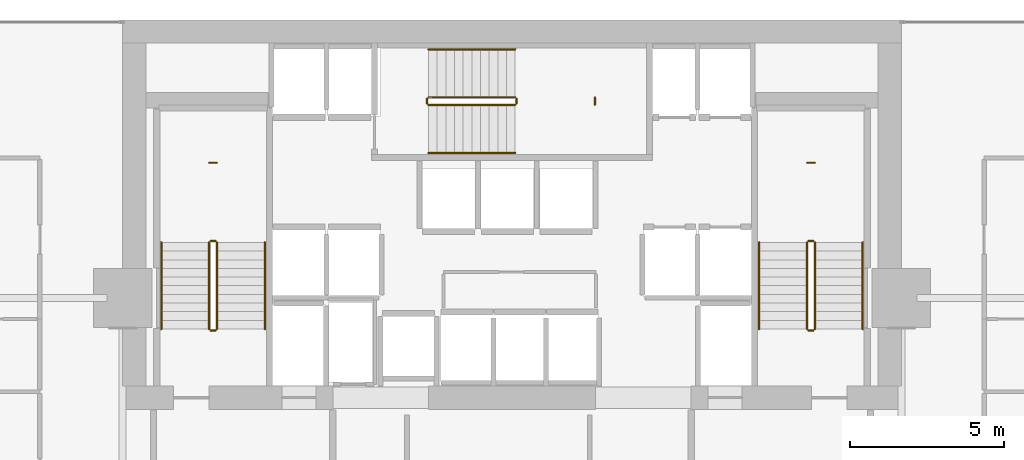
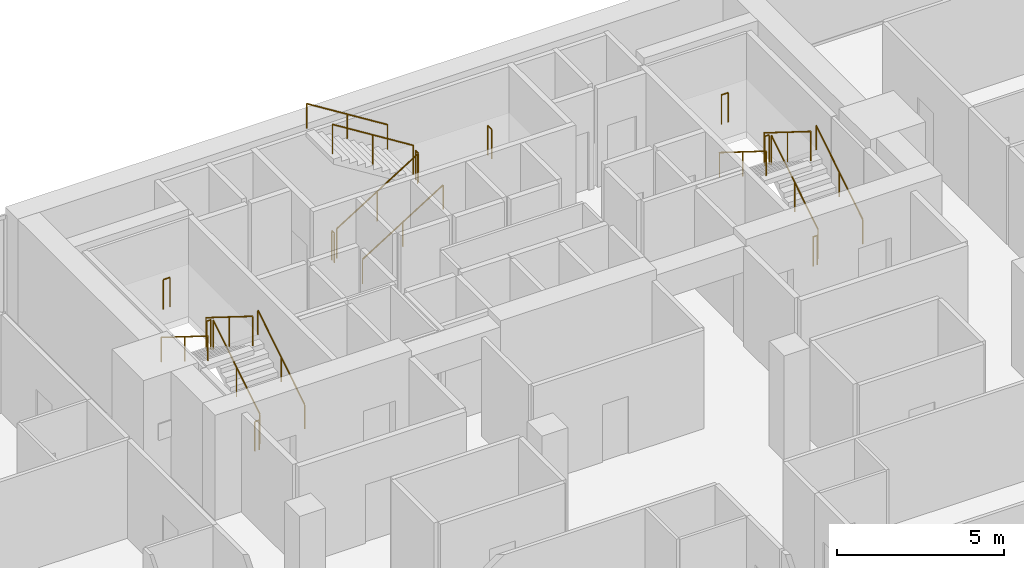
# One storey, part 34 of 34: 21 railings.
"""IFC4 building model written with IfcOpenShell, lengths in metres."""

from ifc_helpers import new_model, si_unit, direction, frame, origin, origin_2d, place, context, subcontext, project, spatial, circle, extrude, material, type_object, element, save


model = new_model("IFC4")

# Units and contexts
model_context = context("Model", 3, precision=1e-05, world=origin(), true_north=direction((0.0, 1.0)))
body_context = subcontext(model_context, "Body", "Model", "MODEL_VIEW")
ifc_project = project(units=[si_unit("LENGTHUNIT", "METRE"), si_unit("AREAUNIT", "SQUARE_METRE"), si_unit("VOLUMEUNIT", "CUBIC_METRE"), si_unit("PLANEANGLEUNIT", "RADIAN"), si_unit("MASSUNIT", "GRAM", prefix="KILO")], contexts=[model_context])

# Site, building, storey
site_placement = place(None, origin())
site = spatial("IfcSite", under=ifc_project, at=site_placement, CompositionType="ELEMENT")
building_placement = place(site_placement, origin())
building = spatial("IfcBuilding", under=site, at=building_placement, Name="Maruvema Waterfront Hotel and Observation Tower", CompositionType="ELEMENT")
storey_placement = place(building_placement, frame((0.0, 0.0, 127.39990234375)))
storey = spatial("IfcBuildingStorey", under=building, at=storey_placement, Name="L30", CompositionType="ELEMENT", Elevation=127.39990234375)

# Railings
ifc_material_1 = material(Name="Brushed stainless steel Grade 316", Category="steel")
railing_type_1 = type_object("IfcRailingType", Name="Ramp Continuous Wall Handrail 920 mm", PredefinedType="HANDRAIL", material=ifc_material_1)
railing_1_placement = place(storey_placement, frame((29.800048828125, 44.0, 0.175048828125)))
element("IfcRailing", 1, at=railing_1_placement, inside=storey, type_object=railing_type_1, Name="L30 ST-01 stair handrail 1", PredefinedType="HANDRAIL", context=body_context, shape_type="SweptSolid", body=[
    extrude(circle(Radius=0.02392578125, at=origin_2d()), frame((0.0, 0.0, 0.89599609375), z_axis=(0.0, 0.848002457836, 0.529992293815), x_axis=(-1.0, 0.0, 0.0)), (0.0, 0.0, 1.0), 3.302001953125),
    extrude(circle(Radius=0.02099609375, at=origin_2d()), origin(), (0.0, 0.0, 1.0), 0.871826171875),
    extrude(circle(Radius=0.02099609375, at=origin_2d()), frame((0.0, 1.39990234375, 0.875)), (0.0, 0.0, 1.0), 0.871826171875),
    extrude(circle(Radius=0.02099609375, at=origin_2d()), frame((0.0, 2.800048828125, 1.75)), (0.0, 0.0, 1.0), 0.871826171875),
])
railing_2_placement = place(storey_placement, frame((26.449951171875, 46.800048828125, 2.10009765625)))
element("IfcRailing", 2, at=railing_2_placement, inside=storey, type_object=railing_type_1, Name="L30 ST-01 stair handrail 2", PredefinedType="HANDRAIL", context=body_context, shape_type="SweptSolid", body=[
    extrude(circle(Radius=0.02392578125, at=origin_2d()), frame((0.0, 0.0, 0.89599609375), z_axis=(0.0, -0.848002457836, 0.529992293815), x_axis=(1.0, 0.0, 0.0)), (0.0, 0.0, 1.0), 3.302001953125),
    extrude(circle(Radius=0.02099609375, at=origin_2d()), origin(), (0.0, 0.0, 1.0), 0.871826171875),
    extrude(circle(Radius=0.02099609375, at=origin_2d()), frame((0.0, -1.39990234375, 0.875)), (0.0, 0.0, 1.0), 0.871826171875),
    extrude(circle(Radius=0.02099609375, at=origin_2d()), frame((0.0, -2.800048828125, 1.75)), (0.0, 0.0, 1.0), 0.871826171875),
])
railing_3_placement = place(storey_placement, frame((35.10009765625, 49.699951171875, 0.175048828125)))
element("IfcRailing", 3, at=railing_3_placement, inside=storey, type_object=railing_type_1, Name="L30 ST-02 stair handrail 1", PredefinedType="HANDRAIL", context=body_context, shape_type="SweptSolid", body=[
    extrude(circle(Radius=0.02392578125, at=origin_2d()), frame((0.0, 0.0, 0.89599609375), z_axis=(0.847981687118, 0.0, 0.530025526095), x_axis=(0.0, 1.0, 0.0)), (0.0, 0.0, 1.0), 3.3017578125),
    extrude(circle(Radius=0.02099609375, at=origin_2d()), origin(), (0.0, 0.0, 1.0), 0.871826171875),
    extrude(circle(Radius=0.02099609375, at=origin_2d()), frame((1.39990234375, 0.0, 0.875)), (0.0, 0.0, 1.0), 0.871826171875),
    extrude(circle(Radius=0.02099609375, at=origin_2d()), frame((2.7998046875, 0.0, 1.75)), (0.0, 0.0, 1.0), 0.871826171875),
])
railing_4_placement = place(storey_placement, frame((37.89990234375, 53.050048828125, 2.10009765625)))
element("IfcRailing", 4, at=railing_4_placement, inside=storey, type_object=railing_type_1, Name="L30 ST-02 stair handrail 2", PredefinedType="HANDRAIL", context=body_context, shape_type="SweptSolid", body=[
    extrude(circle(Radius=0.02392578125, at=origin_2d()), frame((0.0, 0.0, 0.89599609375), z_axis=(-0.847981687118, 0.0, 0.530025526095), x_axis=(0.0, -1.0, 0.0)), (0.0, 0.0, 1.0), 3.3017578125),
    extrude(circle(Radius=0.02099609375, at=origin_2d()), origin(), (0.0, 0.0, 1.0), 0.871826171875),
    extrude(circle(Radius=0.02099609375, at=origin_2d()), frame((-1.39990234375, 0.0, 0.875)), (0.0, 0.0, 1.0), 0.871826171875),
    extrude(circle(Radius=0.02099609375, at=origin_2d()), frame((-2.7998046875, 0.0, 1.75)), (0.0, 0.0, 1.0), 0.871826171875),
])
railing_5_placement = place(storey_placement, frame((49.14990234375, 44.0, 0.175048828125)))
element("IfcRailing", 5, at=railing_5_placement, inside=storey, type_object=railing_type_1, Name="L30 ST-03 stair handrail 1", PredefinedType="HANDRAIL", context=body_context, shape_type="SweptSolid", body=[
    extrude(circle(Radius=0.02392578125, at=origin_2d()), frame((0.0, 0.0, 0.89599609375), z_axis=(0.0, 0.848002457836, 0.529992293815), x_axis=(-1.0, 0.0, 0.0)), (0.0, 0.0, 1.0), 3.302001953125),
    extrude(circle(Radius=0.02099609375, at=origin_2d()), origin(), (0.0, 0.0, 1.0), 0.871826171875),
    extrude(circle(Radius=0.02099609375, at=origin_2d()), frame((0.0, 1.39990234375, 0.875)), (0.0, 0.0, 1.0), 0.871826171875),
    extrude(circle(Radius=0.02099609375, at=origin_2d()), frame((0.0, 2.800048828125, 1.75)), (0.0, 0.0, 1.0), 0.871826171875),
])
railing_6_placement = place(storey_placement, frame((45.800048828125, 46.800048828125, 2.10009765625)))
element("IfcRailing", 6, at=railing_6_placement, inside=storey, type_object=railing_type_1, Name="L30 ST-03 stair handrail 2", PredefinedType="HANDRAIL", context=body_context, shape_type="SweptSolid", body=[
    extrude(circle(Radius=0.02392578125, at=origin_2d()), frame((0.0, 0.0, 0.89599609375), z_axis=(0.0, -0.848002457836, 0.529992293815), x_axis=(1.0, 0.0, 0.0)), (0.0, 0.0, 1.0), 3.302001953125),
    extrude(circle(Radius=0.02099609375, at=origin_2d()), origin(), (0.0, 0.0, 1.0), 0.871826171875),
    extrude(circle(Radius=0.02099609375, at=origin_2d()), frame((0.0, -1.39990234375, 0.875)), (0.0, 0.0, 1.0), 0.871826171875),
    extrude(circle(Radius=0.02099609375, at=origin_2d()), frame((0.0, -2.800048828125, 1.75)), (0.0, 0.0, 1.0), 0.871826171875),
])
ifc_material_2 = material(Name="Brushed stainless steel Grade 316", Category="steel")
railing_type_2 = type_object("IfcRailingType", Name="Ramp and Terrace Guard Balustrade 1100 mm", PredefinedType="BALUSTRADE", material=ifc_material_2)
railing_7_placement = place(storey_placement, frame((28.25, 44.0, 0.175048828125)))
element("IfcRailing", 7, at=railing_7_placement, inside=storey, type_object=railing_type_2, Name="L30 ST-01 stair guard 1", PredefinedType="BALUSTRADE", context=body_context, shape_type="SweptSolid", body=[
    extrude(circle(Radius=0.02392578125, at=origin_2d()), frame((0.0, 0.0, 1.076171875), z_axis=(0.0, 0.848002457836, 0.529992293815), x_axis=(-1.0, 0.0, 0.0)), (0.0, 0.0, 1.0), 3.302001953125),
    extrude(circle(Radius=0.02099609375, at=origin_2d()), origin(), (0.0, 0.0, 1.0), 1.052001953125),
    extrude(circle(Radius=0.02099609375, at=origin_2d()), frame((0.0, 1.39990234375, 0.875)), (0.0, 0.0, 1.0), 1.052001953125),
    extrude(circle(Radius=0.02099609375, at=origin_2d()), frame((0.0, 2.800048828125, 1.75)), (0.0, 0.0, 1.0), 1.052001953125),
])
railing_8_placement = place(storey_placement, frame((28.199951171875, 46.85009765625, 1.925048828125)))
element("IfcRailing", 8, at=railing_8_placement, inside=storey, type_object=railing_type_2, Name="L30 ST-01 stair guard 2", PredefinedType="BALUSTRADE", context=body_context, shape_type="SweptSolid", body=[
    extrude(circle(Radius=0.02392578125, at=origin_2d()), frame((0.0, 0.0, 1.076171875), z_axis=(-1.0, 0.0, 0.0), x_axis=(0.0, -1.0, 0.0)), (0.0, 0.0, 1.0), 0.14990234375),
    extrude(circle(Radius=0.02099609375, at=origin_2d()), origin(), (0.0, 0.0, 1.0), 1.052001953125),
    extrude(circle(Radius=0.02099609375, at=origin_2d()), frame((-0.14990234375, 0.0, 0.0)), (0.0, 0.0, 1.0), 1.052001953125),
])
railing_9_placement = place(storey_placement, frame((28.0, 46.800048828125, 2.10009765625)))
element("IfcRailing", 9, at=railing_9_placement, inside=storey, type_object=railing_type_2, Name="L30 ST-01 stair guard 3", PredefinedType="BALUSTRADE", context=body_context, shape_type="SweptSolid", body=[
    extrude(circle(Radius=0.02392578125, at=origin_2d()), frame((0.0, 0.0, 1.076171875), z_axis=(0.0, -0.848002457836, 0.529992293815), x_axis=(1.0, 0.0, 0.0)), (0.0, 0.0, 1.0), 3.302001953125),
    extrude(circle(Radius=0.02099609375, at=origin_2d()), origin(), (0.0, 0.0, 1.0), 1.052001953125),
    extrude(circle(Radius=0.02099609375, at=origin_2d()), frame((0.0, -1.39990234375, 0.875)), (0.0, 0.0, 1.0), 1.052001953125),
    extrude(circle(Radius=0.02099609375, at=origin_2d()), frame((0.0, -2.800048828125, 1.75)), (0.0, 0.0, 1.0), 1.052001953125),
])
railing_10_placement = place(storey_placement, frame((28.199951171875, 43.949951171875, 0.0)))
element("IfcRailing", 10, at=railing_10_placement, inside=storey, type_object=railing_type_2, Name="L30 ST-01 stair guard 4", PredefinedType="BALUSTRADE", context=body_context, shape_type="SweptSolid", body=[
    extrude(circle(Radius=0.02392578125, at=origin_2d()), frame((0.0, 0.0, 1.076171875), z_axis=(-1.0, 0.0, 0.0), x_axis=(0.0, -1.0, 0.0)), (0.0, 0.0, 1.0), 0.14990234375),
    extrude(circle(Radius=0.02099609375, at=origin_2d()), origin(), (0.0, 0.0, 1.0), 1.052001953125),
    extrude(circle(Radius=0.02099609375, at=origin_2d()), frame((-0.14990234375, 0.0, 0.0)), (0.0, 0.0, 1.0), 1.052001953125),
])
railing_11_placement = place(storey_placement, frame((28.239990234375, 49.3798828125, 1.925048828125)))
element("IfcRailing", 11, at=railing_11_placement, inside=storey, type_object=railing_type_2, Name="L30 ST-01 Half-Landing Slot Guard", PredefinedType="BALUSTRADE", context=body_context, shape_type="SweptSolid", body=[
    extrude(circle(Radius=0.02392578125, at=origin_2d()), frame((0.0, 0.0, 1.076171875), z_axis=(-1.0, 0.0, 0.0), x_axis=(0.0, -1.0, 0.0)), (0.0, 0.0, 1.0), 0.22998046875),
    extrude(circle(Radius=0.02099609375, at=origin_2d()), origin(), (0.0, 0.0, 1.0), 1.052001953125),
    extrude(circle(Radius=0.02099609375, at=origin_2d()), frame((-0.22998046875, 0.0, 0.0)), (0.0, 0.0, 1.0), 1.052001953125),
])
railing_12_placement = place(storey_placement, frame((35.10009765625, 51.25, 0.175048828125)))
element("IfcRailing", 12, at=railing_12_placement, inside=storey, type_object=railing_type_2, Name="L30 ST-02 stair guard 1", PredefinedType="BALUSTRADE", context=body_context, shape_type="SweptSolid", body=[
    extrude(circle(Radius=0.02392578125, at=origin_2d()), frame((0.0, 0.0, 1.076171875), z_axis=(0.847981687118, 0.0, 0.530025526095), x_axis=(0.0, 1.0, 0.0)), (0.0, 0.0, 1.0), 3.3017578125),
    extrude(circle(Radius=0.02099609375, at=origin_2d()), origin(), (0.0, 0.0, 1.0), 1.052001953125),
    extrude(circle(Radius=0.02099609375, at=origin_2d()), frame((1.39990234375, 0.0, 0.875)), (0.0, 0.0, 1.0), 1.052001953125),
    extrude(circle(Radius=0.02099609375, at=origin_2d()), frame((2.7998046875, 0.0, 1.75)), (0.0, 0.0, 1.0), 1.052001953125),
])
railing_13_placement = place(storey_placement, frame((37.949951171875, 51.300048828125, 1.925048828125)))
element("IfcRailing", 13, at=railing_13_placement, inside=storey, type_object=railing_type_2, Name="L30 ST-02 stair guard 2", PredefinedType="BALUSTRADE", context=body_context, shape_type="SweptSolid", body=[
    extrude(circle(Radius=0.02392578125, at=origin_2d()), frame((0.0, 0.0, 1.076171875), z_axis=(0.0, 1.0, 0.0), x_axis=(-1.0, 0.0, 0.0)), (0.0, 0.0, 1.0), 0.14990234375),
    extrude(circle(Radius=0.02099609375, at=origin_2d()), origin(), (0.0, 0.0, 1.0), 1.052001953125),
    extrude(circle(Radius=0.02099609375, at=origin_2d()), frame((0.0, 0.14990234375, 0.0)), (0.0, 0.0, 1.0), 1.052001953125),
])
railing_14_placement = place(storey_placement, frame((37.89990234375, 51.5, 2.10009765625)))
element("IfcRailing", 14, at=railing_14_placement, inside=storey, type_object=railing_type_2, Name="L30 ST-02 stair guard 3", PredefinedType="BALUSTRADE", context=body_context, shape_type="SweptSolid", body=[
    extrude(circle(Radius=0.02392578125, at=origin_2d()), frame((0.0, 0.0, 1.076171875), z_axis=(-0.847981687118, 0.0, 0.530025526095), x_axis=(0.0, -1.0, 0.0)), (0.0, 0.0, 1.0), 3.3017578125),
    extrude(circle(Radius=0.02099609375, at=origin_2d()), origin(), (0.0, 0.0, 1.0), 1.052001953125),
    extrude(circle(Radius=0.02099609375, at=origin_2d()), frame((-1.39990234375, 0.0, 0.875)), (0.0, 0.0, 1.0), 1.052001953125),
    extrude(circle(Radius=0.02099609375, at=origin_2d()), frame((-2.7998046875, 0.0, 1.75)), (0.0, 0.0, 1.0), 1.052001953125),
])
railing_15_placement = place(storey_placement, frame((35.050048828125, 51.300048828125, 0.0)))
element("IfcRailing", 15, at=railing_15_placement, inside=storey, type_object=railing_type_2, Name="L30 ST-02 stair guard 4", PredefinedType="BALUSTRADE", context=body_context, shape_type="SweptSolid", body=[
    extrude(circle(Radius=0.02392578125, at=origin_2d()), frame((0.0, 0.0, 1.076171875), z_axis=(0.0, 1.0, 0.0), x_axis=(-1.0, 0.0, 0.0)), (0.0, 0.0, 1.0), 0.14990234375),
    extrude(circle(Radius=0.02099609375, at=origin_2d()), origin(), (0.0, 0.0, 1.0), 1.052001953125),
    extrude(circle(Radius=0.02099609375, at=origin_2d()), frame((0.0, 0.14990234375, 0.0)), (0.0, 0.0, 1.0), 1.052001953125),
])
railing_16_placement = place(storey_placement, frame((40.47998046875, 51.260009765625, 1.925048828125)))
element("IfcRailing", 16, at=railing_16_placement, inside=storey, type_object=railing_type_2, Name="L30 ST-02 Half-Landing Slot Guard", PredefinedType="BALUSTRADE", context=body_context, shape_type="SweptSolid", body=[
    extrude(circle(Radius=0.02392578125, at=origin_2d()), frame((0.0, 0.0, 1.076171875), z_axis=(0.0, 1.0, 0.0), x_axis=(-1.0, 0.0, 0.0)), (0.0, 0.0, 1.0), 0.22998046875),
    extrude(circle(Radius=0.02099609375, at=origin_2d()), origin(), (0.0, 0.0, 1.0), 1.052001953125),
    extrude(circle(Radius=0.02099609375, at=origin_2d()), frame((0.0, 0.22998046875, 0.0)), (0.0, 0.0, 1.0), 1.052001953125),
])
railing_17_placement = place(storey_placement, frame((47.60009765625, 44.0, 0.175048828125)))
element("IfcRailing", 17, at=railing_17_placement, inside=storey, type_object=railing_type_2, Name="L30 ST-03 stair guard 1", PredefinedType="BALUSTRADE", context=body_context, shape_type="SweptSolid", body=[
    extrude(circle(Radius=0.02392578125, at=origin_2d()), frame((0.0, 0.0, 1.076171875), z_axis=(0.0, 0.848002457836, 0.529992293815), x_axis=(-1.0, 0.0, 0.0)), (0.0, 0.0, 1.0), 3.302001953125),
    extrude(circle(Radius=0.02099609375, at=origin_2d()), origin(), (0.0, 0.0, 1.0), 1.052001953125),
    extrude(circle(Radius=0.02099609375, at=origin_2d()), frame((0.0, 1.39990234375, 0.875)), (0.0, 0.0, 1.0), 1.052001953125),
    extrude(circle(Radius=0.02099609375, at=origin_2d()), frame((0.0, 2.800048828125, 1.75)), (0.0, 0.0, 1.0), 1.052001953125),
])
railing_18_placement = place(storey_placement, frame((47.550048828125, 46.85009765625, 1.925048828125)))
element("IfcRailing", 18, at=railing_18_placement, inside=storey, type_object=railing_type_2, Name="L30 ST-03 stair guard 2", PredefinedType="BALUSTRADE", context=body_context, shape_type="SweptSolid", body=[
    extrude(circle(Radius=0.02392578125, at=origin_2d()), frame((0.0, 0.0, 1.076171875), z_axis=(-1.0, 0.0, 0.0), x_axis=(0.0, -1.0, 0.0)), (0.0, 0.0, 1.0), 0.150146484375),
    extrude(circle(Radius=0.02099609375, at=origin_2d()), origin(), (0.0, 0.0, 1.0), 1.052001953125),
    extrude(circle(Radius=0.02099609375, at=origin_2d()), frame((-0.150146484375, 0.0, 0.0)), (0.0, 0.0, 1.0), 1.052001953125),
])
railing_19_placement = place(storey_placement, frame((47.35009765625, 46.800048828125, 2.10009765625)))
element("IfcRailing", 19, at=railing_19_placement, inside=storey, type_object=railing_type_2, Name="L30 ST-03 stair guard 3", PredefinedType="BALUSTRADE", context=body_context, shape_type="SweptSolid", body=[
    extrude(circle(Radius=0.02392578125, at=origin_2d()), frame((0.0, 0.0, 1.076171875), z_axis=(0.0, -0.848002457836, 0.529992293815), x_axis=(1.0, 0.0, 0.0)), (0.0, 0.0, 1.0), 3.302001953125),
    extrude(circle(Radius=0.02099609375, at=origin_2d()), origin(), (0.0, 0.0, 1.0), 1.052001953125),
    extrude(circle(Radius=0.02099609375, at=origin_2d()), frame((0.0, -1.39990234375, 0.875)), (0.0, 0.0, 1.0), 1.052001953125),
    extrude(circle(Radius=0.02099609375, at=origin_2d()), frame((0.0, -2.800048828125, 1.75)), (0.0, 0.0, 1.0), 1.052001953125),
])
railing_20_placement = place(storey_placement, frame((47.550048828125, 43.949951171875, 0.0)))
element("IfcRailing", 20, at=railing_20_placement, inside=storey, type_object=railing_type_2, Name="L30 ST-03 stair guard 4", PredefinedType="BALUSTRADE", context=body_context, shape_type="SweptSolid", body=[
    extrude(circle(Radius=0.02392578125, at=origin_2d()), frame((0.0, 0.0, 1.076171875), z_axis=(-1.0, 0.0, 0.0), x_axis=(0.0, -1.0, 0.0)), (0.0, 0.0, 1.0), 0.150146484375),
    extrude(circle(Radius=0.02099609375, at=origin_2d()), origin(), (0.0, 0.0, 1.0), 1.052001953125),
    extrude(circle(Radius=0.02099609375, at=origin_2d()), frame((-0.150146484375, 0.0, 0.0)), (0.0, 0.0, 1.0), 1.052001953125),
])
railing_21_placement = place(storey_placement, frame((47.590087890625, 49.3798828125, 1.925048828125)))
element("IfcRailing", 21, at=railing_21_placement, inside=storey, type_object=railing_type_2, Name="L30 ST-03 Half-Landing Slot Guard", PredefinedType="BALUSTRADE", context=body_context, shape_type="SweptSolid", body=[
    extrude(circle(Radius=0.02392578125, at=origin_2d()), frame((0.0, 0.0, 1.076171875), z_axis=(-1.0, 0.0, 0.0), x_axis=(0.0, -1.0, 0.0)), (0.0, 0.0, 1.0), 0.22998046875),
    extrude(circle(Radius=0.02099609375, at=origin_2d()), origin(), (0.0, 0.0, 1.0), 1.052001953125),
    extrude(circle(Radius=0.02099609375, at=origin_2d()), frame((-0.22998046875, 0.0, 0.0)), (0.0, 0.0, 1.0), 1.052001953125),
])

save(model, "model.ifc")
